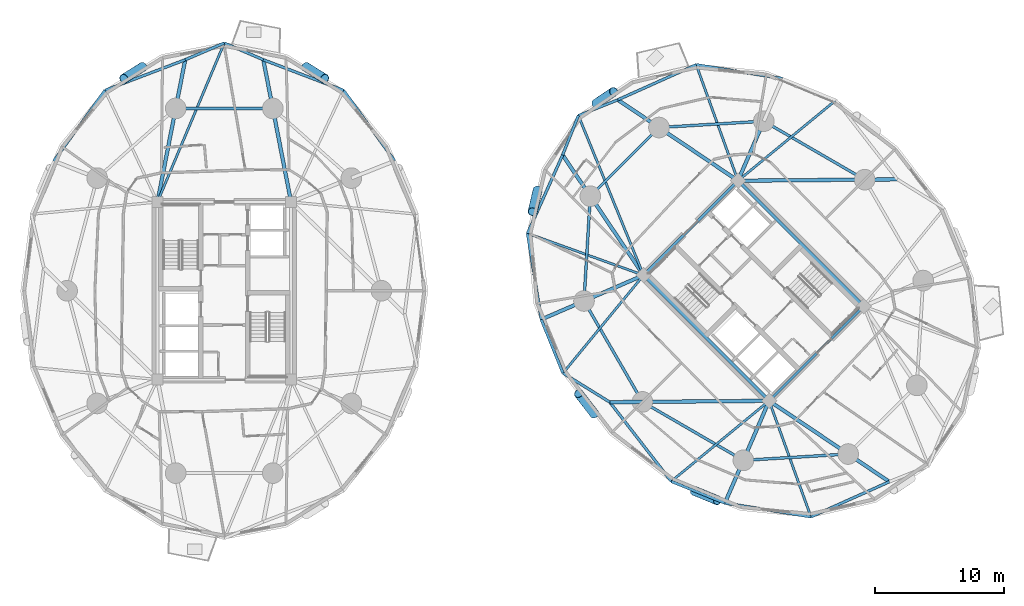
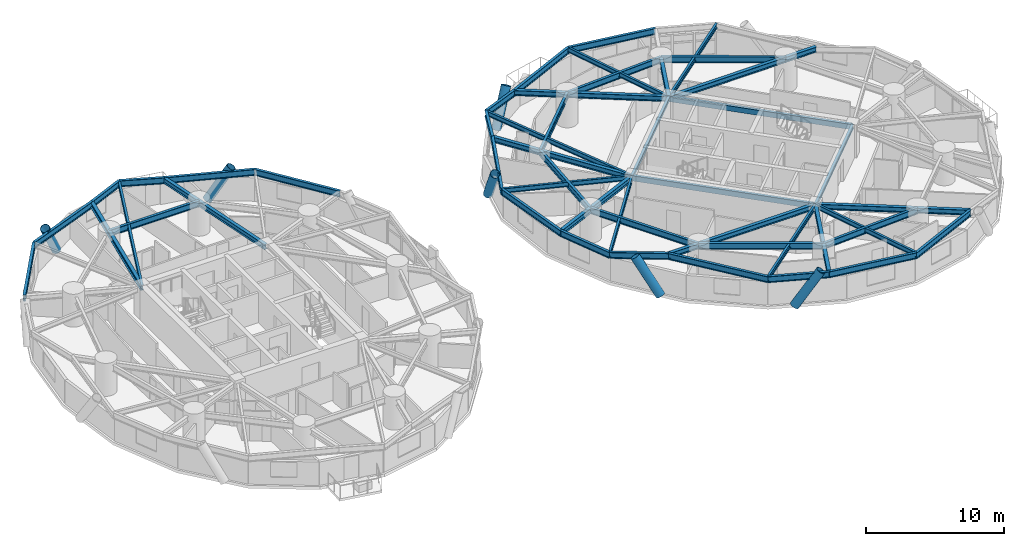
# One storey, part 5 of 19: 49 beams, 6 members.
"""IFC4 building model written with IfcOpenShell, lengths in metres."""

from ifc_helpers import new_model, si_unit, direction, frame, origin, origin_2d, place, context, subcontext, project, spatial, hollow_rectangle, hollow_circle, i_section, extrude, material, material_profile, profile_set, type_object, element, save


model = new_model("IFC4")

# Units and contexts
model_context = context("Model", 3, precision=1e-05, world=origin(), true_north=direction((0.0, 1.0)))
body_context = subcontext(model_context, "Body", "Model", "MODEL_VIEW")
ifc_project = project(units=[si_unit("LENGTHUNIT", "METRE"), si_unit("AREAUNIT", "SQUARE_METRE"), si_unit("VOLUMEUNIT", "CUBIC_METRE"), si_unit("PLANEANGLEUNIT", "RADIAN"), si_unit("MASSUNIT", "GRAM", prefix="KILO")], contexts=[model_context])

# Site, building, storey
site_placement = place(None, origin())
site = spatial("IfcSite", under=ifc_project, at=site_placement, CompositionType="ELEMENT")
building_placement = place(site_placement, origin())
building = spatial("IfcBuilding", under=site, at=building_placement, Name="Cununo Teusaquillo Station Towers", CompositionType="ELEMENT")
storey_placement = place(building_placement, frame((0.0, 0.0, 42.3701171875)))
storey = spatial("IfcBuildingStorey", under=building, at=storey_placement, Name="L12", CompositionType="ELEMENT", Elevation=42.3701171875)

# Beams
ifc_material_1 = material(Name="Steel EN 10025-2 S355J2", Category="steel")
ifc_material_profile_1 = material_profile(ifc_material_1, hollow_rectangle(XDim=0.25, YDim=0.449951171875, WallThickness=0.01611328125, at=origin_2d()), Name="RHS 450x250x16")
ifc_profile_set_1 = profile_set([ifc_material_profile_1], Name="Steel EN 10025-2 S355J2")
beam_type_1 = type_object("IfcBeamType", Name="BM-COUP-1", PredefinedType="USERDEFINED", material=ifc_profile_set_1)
for number, where, z_axis, x_axis, name in (
    (1, (58.70556640625, 15.975830078125, 2.4248046875), (-0.707106781187, 0.707106781187, 0.0), (-0.707106781187, -0.707106781187, 0.0), "L12 Tower B Core Beam 1"),
    (2, (66.024169921875, 23.29443359375, 2.4248046875), (-0.707106781187, 0.707106781187, 0.0), (-0.707106781187, -0.707106781187, 0.0), "L12 Tower B Core Beam 2"),
):
    element("IfcBeam", number, at=place(storey_placement, frame(where, z_axis=z_axis, x_axis=x_axis)), inside=storey, type_object=beam_type_1, Name=name, ObjectType="COUPLING BEAM", PredefinedType="USERDEFINED", context=body_context, shape_type="SweptSolid", body=[
        extrude(hollow_rectangle(XDim=0.25, YDim=0.449951171875, WallThickness=0.01611328125, at=origin_2d()), origin(), (0.0, 0.0, 1.0), 13.760009765625),
    ])
ifc_material_2 = material(Name="Steel ASTM A572 Grade 50", Category="steel")
ifc_material_profile_2 = material_profile(ifc_material_2, i_section(OverallWidth=0.180908203125, OverallDepth=0.4169921875, WebThickness=0.010986328125, FlangeThickness=0.018310546875, FilletRadius=0.012939453125, at=origin_2d()), Name="W16X57")
ifc_profile_set_2 = profile_set([ifc_material_profile_2], Name="Steel ASTM A572 Grade 50")
beam_type_2 = type_object("IfcBeamType", Name="BM-JOIST-1", PredefinedType="JOIST", material=ifc_profile_set_2)
beam_1_placement = place(storey_placement, frame((11.324951171875, 31.3798828125, 2.44140625), z_axis=(0.387539558454, 0.92185307432, 0.0), x_axis=(-0.92185307432, 0.387539558454, 0.0)))
element("IfcBeam", 3, at=beam_1_placement, inside=storey, type_object=beam_type_2, Name="L12 Tower A Radial Spandrel Joist V05", PredefinedType="JOIST", context=body_context, shape_type="SweptSolid", body=[
    extrude(i_section(OverallWidth=0.180908203125, OverallDepth=0.4169921875, WebThickness=0.010986328125, FlangeThickness=0.018310546875, FilletRadius=0.012939453125, at=origin_2d()), origin(), (0.0, 0.0, 1.0), 13.353515625),
])
beam_2_placement = place(storey_placement, frame((56.29443359375, 33.024169921875, 2.44140625), z_axis=(0.772192093976, 0.635389148475, 0.0), x_axis=(-0.635389148475, 0.772192093976, 0.0)))
element("IfcBeam", 4, at=beam_2_placement, inside=storey, type_object=beam_type_2, Name="L12 Tower B Radial Spandrel Joist V01", PredefinedType="JOIST", context=body_context, shape_type="SweptSolid", body=[
    extrude(i_section(OverallWidth=0.180908203125, OverallDepth=0.4169921875, WebThickness=0.010986328125, FlangeThickness=0.018310546875, FilletRadius=0.012939453125, at=origin_2d()), origin(), (0.0, 0.0, 1.0), 9.82080078125),
])
beam_3_placement = place(storey_placement, frame((56.29443359375, 33.024169921875, 2.44140625), z_axis=(-0.33906787056, 0.940761914171, 0.0), x_axis=(-0.940761914171, -0.33906787056, 0.0)))
element("IfcBeam", 5, at=beam_3_placement, inside=storey, type_object=beam_type_2, Name="L12 Tower B Radial Spandrel Joist V03", PredefinedType="JOIST", context=body_context, shape_type="SweptSolid", body=[
    extrude(i_section(OverallWidth=0.180908203125, OverallDepth=0.4169921875, WebThickness=0.010986328125, FlangeThickness=0.018310546875, FilletRadius=0.012939453125, at=origin_2d()), origin(), (0.0, 0.0, 1.0), 9.552734375),
])
beam_4_placement = place(storey_placement, frame((48.975830078125, 25.70556640625, 2.44140625), z_axis=(-0.377815437796, 0.92588092915, 0.0), x_axis=(-0.92588092915, -0.377815437796, 0.0)))
element("IfcBeam", 6, at=beam_4_placement, inside=storey, type_object=beam_type_2, Name="L12 Tower B Radial Spandrel Joist V05", PredefinedType="JOIST", context=body_context, shape_type="SweptSolid", body=[
    extrude(i_section(OverallWidth=0.180908203125, OverallDepth=0.4169921875, WebThickness=0.010986328125, FlangeThickness=0.018310546875, FilletRadius=0.012939453125, at=origin_2d()), origin(), (0.0, 0.0, 1.0), 13.353515625),
])
beam_5_placement = place(storey_placement, frame((48.975830078125, 25.70556640625, 2.44140625), z_axis=(-0.940761914171, 0.33906787056, 0.0), x_axis=(-0.33906787056, -0.940761914171, 0.0)))
element("IfcBeam", 7, at=beam_5_placement, inside=storey, type_object=beam_type_2, Name="L12 Tower B Radial Spandrel Joist V07", PredefinedType="JOIST", context=body_context, shape_type="SweptSolid", body=[
    extrude(i_section(OverallWidth=0.180908203125, OverallDepth=0.4169921875, WebThickness=0.010986328125, FlangeThickness=0.018310546875, FilletRadius=0.012939453125, at=origin_2d()), origin(), (0.0, 0.0, 1.0), 9.552734375),
])
for number, where, z_axis, x_axis, name in (
    (8, (48.975830078125, 25.70556640625, 2.44140625), (-0.635389148475, -0.772192093976, 0.0), (0.772192093976, -0.635389148475, 0.0), "L12 Tower B Radial Spandrel Joist V09"),
    (9, (58.70556640625, 15.975830078125, 2.44140625), (-0.772192093976, -0.635389148475, 0.0), (0.635389148475, -0.772192093976, 0.0), "L12 Tower B Radial Spandrel Joist V11"),
):
    element("IfcBeam", number, at=place(storey_placement, frame(where, z_axis=z_axis, x_axis=x_axis)), inside=storey, type_object=beam_type_2, Name=name, PredefinedType="JOIST", context=body_context, shape_type="SweptSolid", body=[
        extrude(i_section(OverallWidth=0.180908203125, OverallDepth=0.4169921875, WebThickness=0.010986328125, FlangeThickness=0.018310546875, FilletRadius=0.012939453125, at=origin_2d()), origin(), (0.0, 0.0, 1.0), 9.82080078125),
    ])
beam_6_placement = place(storey_placement, frame((58.70556640625, 15.975830078125, 2.44140625), z_axis=(0.33906787056, -0.940761914171, 0.0), x_axis=(0.940761914171, 0.33906787056, 0.0)))
element("IfcBeam", 10, at=beam_6_placement, inside=storey, type_object=beam_type_2, Name="L12 Tower B Radial Spandrel Joist V13", PredefinedType="JOIST", context=body_context, shape_type="SweptSolid", body=[
    extrude(i_section(OverallWidth=0.180908203125, OverallDepth=0.4169921875, WebThickness=0.010986328125, FlangeThickness=0.018310546875, FilletRadius=0.012939453125, at=origin_2d()), origin(), (0.0, 0.0, 1.0), 9.552734375),
])
ifc_material_3 = material(Name="Steel ASTM A572 Grade 50", Category="steel")
ifc_material_profile_3 = material_profile(ifc_material_3, i_section(OverallWidth=0.2041015625, OverallDepth=0.35009765625, WebThickness=0.008544921875, FlangeThickness=0.01513671875, FilletRadius=0.011962890625, at=origin_2d()), Name="W14X48")
ifc_profile_set_3 = profile_set([ifc_material_profile_3], Name="Steel ASTM A572 Grade 50")
beam_type_3 = type_object("IfcBeamType", Name="BM-LINTEL-1", PredefinedType="LINTEL", material=ifc_profile_set_3)
for number, where, z_axis, x_axis, name in (
    (11, (58.70556640625, 15.975830078125, 2.474853515625), (0.707106781187, 0.707106781187, 0.0), (-0.707106781187, 0.707106781187, 0.0), "L12 Tower B Core Beam 3"),
    (12, (48.975830078125, 25.70556640625, 2.474853515625), (0.707106781187, 0.707106781187, 0.0), (-0.707106781187, 0.707106781187, 0.0), "L12 Tower B Core Beam 4"),
):
    element("IfcBeam", number, at=place(storey_placement, frame(where, z_axis=z_axis, x_axis=x_axis)), inside=storey, type_object=beam_type_3, Name=name, PredefinedType="LINTEL", context=body_context, shape_type="SweptSolid", body=[
        extrude(i_section(OverallWidth=0.2041015625, OverallDepth=0.35009765625, WebThickness=0.008544921875, FlangeThickness=0.01513671875, FilletRadius=0.011962890625, at=origin_2d()), origin(), (0.0, 0.0, 1.0), 10.35009765625),
    ])
ifc_material_4 = material(Name="Steel ASTM A572 Grade 50", Category="steel")
ifc_material_profile_4 = material_profile(ifc_material_4, i_section(OverallWidth=0.280029296875, OverallDepth=0.462890625, WebThickness=0.0107421875, FlangeThickness=0.017333984375, FilletRadius=0.013916015625, at=origin_2d()), Name="W18X76")
ifc_profile_set_4 = profile_set([ifc_material_profile_4], Name="Steel ASTM A572 Grade 50")
beam_type_4 = type_object("IfcBeamType", Name="BM-RAD-G1", PredefinedType="BEAM", material=ifc_profile_set_4)
for number, where, z_axis, x_axis, name in (
    (13, (21.675048828125, 31.3798828125, 2.41845703125), (-0.191549210283, 0.981483010571, 0.0), (-0.981483010571, -0.191549210283, 0.0), "L12 Tower A Continuous Overhanging Radial Girder 03"),
    (14, (11.324951171875, 31.3798828125, 2.41845703125), (0.191549210283, 0.981483010571, 0.0), (-0.981483010571, 0.191549210283, 0.0), "L12 Tower A Continuous Overhanging Radial Girder 04"),
):
    element("IfcBeam", number, at=place(storey_placement, frame(where, z_axis=z_axis, x_axis=x_axis)), inside=storey, type_object=beam_type_4, Name=name, PredefinedType="BEAM", context=body_context, shape_type="SweptSolid", body=[
        extrude(i_section(OverallWidth=0.280029296875, OverallDepth=0.462890625, WebThickness=0.0107421875, FlangeThickness=0.017333984375, FilletRadius=0.013916015625, at=origin_2d()), origin(), (0.0, 0.0, 1.0), 11.22119140625),
    ])
beam_7_placement = place(storey_placement, frame((56.29443359375, 33.024169921875, 2.41845703125), z_axis=(0.999964326722, 0.008446613668, 0.0), x_axis=(-0.008446613668, 0.999964326722, 0.0)))
element("IfcBeam", 15, at=beam_7_placement, inside=storey, type_object=beam_type_4, Name="L12 Tower B Continuous Overhanging Radial Girder 01", PredefinedType="BEAM", context=body_context, shape_type="SweptSolid", body=[
    extrude(i_section(OverallWidth=0.280029296875, OverallDepth=0.462890625, WebThickness=0.0107421875, FlangeThickness=0.017333984375, FilletRadius=0.013916015625, at=origin_2d()), origin(), (0.0, 0.0, 1.0), 12.342041015625),
])
beam_8_placement = place(storey_placement, frame((56.29443359375, 33.024169921875, 2.41845703125), z_axis=(0.397346986387, 0.917668443616, 0.0), x_axis=(-0.917668443616, 0.397346986387, 0.0)))
element("IfcBeam", 16, at=beam_8_placement, inside=storey, type_object=beam_type_4, Name="L12 Tower B Radial Girder 02A", PredefinedType="BEAM", context=body_context, shape_type="SweptSolid", body=[
    extrude(i_section(OverallWidth=0.280029296875, OverallDepth=0.462890625, WebThickness=0.0107421875, FlangeThickness=0.017333984375, FilletRadius=0.013916015625, at=origin_2d()), origin(), (0.0, 0.0, 1.0), 5.02490234375),
])
for number, where, z_axis, x_axis, name in (
    (17, (56.29443359375, 33.024169921875, 2.41845703125), (-0.829460584667, 0.558565249978, 0.0), (-0.558565249978, -0.829460584667, 0.0), "L12 Tower B Continuous Overhanging Radial Girder 03"),
    (18, (48.975830078125, 25.70556640625, 2.41845703125), (-0.558565249978, 0.829460584667, 0.0), (-0.829460584667, -0.558565249978, 0.0), "L12 Tower B Continuous Overhanging Radial Girder 04"),
):
    element("IfcBeam", number, at=place(storey_placement, frame(where, z_axis=z_axis, x_axis=x_axis)), inside=storey, type_object=beam_type_4, Name=name, PredefinedType="BEAM", context=body_context, shape_type="SweptSolid", body=[
        extrude(i_section(OverallWidth=0.280029296875, OverallDepth=0.462890625, WebThickness=0.0107421875, FlangeThickness=0.017333984375, FilletRadius=0.013916015625, at=origin_2d()), origin(), (0.0, 0.0, 1.0), 11.22119140625),
    ])
beam_9_placement = place(storey_placement, frame((48.975830078125, 25.70556640625, 2.41845703125), z_axis=(-0.91765947108, -0.397367707718, 0.0), x_axis=(0.397367707718, -0.91765947108, 0.0)))
element("IfcBeam", 19, at=beam_9_placement, inside=storey, type_object=beam_type_4, Name="L12 Tower B Continuous Overhanging Radial Girder 05", PredefinedType="BEAM", context=body_context, shape_type="SweptSolid", body=[
    extrude(i_section(OverallWidth=0.280029296875, OverallDepth=0.462890625, WebThickness=0.0107421875, FlangeThickness=0.017333984375, FilletRadius=0.013916015625, at=origin_2d()), origin(), (0.0, 0.0, 1.0), 8.631591796875),
])
beam_10_placement = place(storey_placement, frame((58.70556640625, 15.975830078125, 2.41845703125), z_axis=(-0.999964431382, -0.008434214327, 0.0), x_axis=(0.008434214327, -0.999964431382, 0.0)))
element("IfcBeam", 20, at=beam_10_placement, inside=storey, type_object=beam_type_4, Name="L12 Tower B Radial Girder 06A", PredefinedType="BEAM", context=body_context, shape_type="SweptSolid", body=[
    extrude(i_section(OverallWidth=0.280029296875, OverallDepth=0.462890625, WebThickness=0.0107421875, FlangeThickness=0.017333984375, FilletRadius=0.013916015625, at=origin_2d()), origin(), (0.0, 0.0, 1.0), 9.812744140625),
])
beam_11_placement = place(storey_placement, frame((48.89306640625, 15.89306640625, 2.41845703125), z_axis=(-0.999963919198, -0.00849472197, 0.0), x_axis=(0.00849472197, -0.999963919198, 0.0)))
element("IfcBeam", 21, at=beam_11_placement, inside=storey, type_object=beam_type_4, Name="L12 Tower B Perimeter Overhang Girder 06B", PredefinedType="BEAM", context=body_context, shape_type="SweptSolid", body=[
    extrude(i_section(OverallWidth=0.280029296875, OverallDepth=0.462890625, WebThickness=0.0107421875, FlangeThickness=0.017333984375, FilletRadius=0.013916015625, at=origin_2d()), origin(), (0.0, 0.0, 1.0), 2.529052734375),
])
beam_12_placement = place(storey_placement, frame((58.70556640625, 15.975830078125, 2.41845703125), z_axis=(-0.397367707718, -0.91765947108, 0.0), x_axis=(0.91765947108, -0.397367707718, 0.0)))
element("IfcBeam", 22, at=beam_12_placement, inside=storey, type_object=beam_type_4, Name="L12 Tower B Continuous Overhanging Radial Girder 07", PredefinedType="BEAM", context=body_context, shape_type="SweptSolid", body=[
    extrude(i_section(OverallWidth=0.280029296875, OverallDepth=0.462890625, WebThickness=0.0107421875, FlangeThickness=0.017333984375, FilletRadius=0.013916015625, at=origin_2d()), origin(), (0.0, 0.0, 1.0), 8.631591796875),
])
beam_13_placement = place(storey_placement, frame((58.70556640625, 15.975830078125, 2.41845703125), z_axis=(0.829460584667, -0.558565249978, 0.0), x_axis=(0.558565249978, 0.829460584667, 0.0)))
element("IfcBeam", 23, at=beam_13_placement, inside=storey, type_object=beam_type_4, Name="L12 Tower B Continuous Overhanging Radial Girder 08", PredefinedType="BEAM", context=body_context, shape_type="SweptSolid", body=[
    extrude(i_section(OverallWidth=0.280029296875, OverallDepth=0.462890625, WebThickness=0.0107421875, FlangeThickness=0.017333984375, FilletRadius=0.013916015625, at=origin_2d()), origin(), (0.0, 0.0, 1.0), 11.22119140625),
])
ifc_material_5 = material(Name="Steel ASTM A572 Grade 50", Category="steel")
ifc_material_profile_5 = material_profile(ifc_material_5, i_section(OverallWidth=0.214111328125, OverallDepth=0.549072265625, WebThickness=0.0146484375, FlangeThickness=0.023681640625, FilletRadius=0.014892578125, at=origin_2d()), Name="W21X93")
ifc_profile_set_5 = profile_set([ifc_material_profile_5], Name="Steel ASTM A572 Grade 50")
beam_type_5 = type_object("IfcBeamType", Name="BM-RING-Z1", PredefinedType="SPANDREL", material=ifc_profile_set_5)
beam_14_placement = place(storey_placement, frame((20.261474609375, 38.623291015625, 2.37548828125), z_axis=(-1.0, 0.0, 0.0), x_axis=(0.0, -1.0, 0.0)))
element("IfcBeam", 24, at=beam_14_placement, inside=storey, type_object=beam_type_5, Name="L12 Tower A Structural Column Ring Girder 03", PredefinedType="SPANDREL", context=body_context, shape_type="SweptSolid", body=[
    extrude(i_section(OverallWidth=0.214111328125, OverallDepth=0.549072265625, WebThickness=0.0146484375, FlangeThickness=0.023681640625, FilletRadius=0.014892578125, at=origin_2d()), origin(), (0.0, 0.0, 1.0), 7.52294921875),
])
beam_15_placement = place(storey_placement, frame((29.701171875, 34.555419921875, 2.37548828125), z_axis=(-0.586607937648, 0.809871056087, 0.0), x_axis=(-0.809871056087, -0.586607937648, 0.0)))
element("IfcBeam", 25, at=beam_15_placement, inside=storey, type_object=beam_type_5, Name="L12 Tower A Spandrel Ring Beam 03", PredefinedType="SPANDREL", context=body_context, shape_type="SweptSolid", body=[
    extrude(i_section(OverallWidth=0.214111328125, OverallDepth=0.549072265625, WebThickness=0.0146484375, FlangeThickness=0.023681640625, FilletRadius=0.014892578125, at=origin_2d()), origin(), (0.0, 0.0, 1.0), 6.75341796875),
])
beam_16_placement = place(storey_placement, frame((25.739501953125, 40.02490234375, 2.37548828125), z_axis=(-0.934426653529, 0.356155624937, 0.0), x_axis=(-0.356155624937, -0.934426653529, 0.0)))
element("IfcBeam", 26, at=beam_16_placement, inside=storey, type_object=beam_type_5, Name="L12 Tower A Spandrel Ring Beam 04", PredefinedType="SPANDREL", context=body_context, shape_type="SweptSolid", body=[
    extrude(i_section(OverallWidth=0.214111328125, OverallDepth=0.549072265625, WebThickness=0.0146484375, FlangeThickness=0.023681640625, FilletRadius=0.014892578125, at=origin_2d()), origin(), (0.0, 0.0, 1.0), 6.64990234375),
])
for number, where, z_axis, x_axis, name in (
    (27, (19.525634765625, 42.393310546875, 2.37548828125), (-0.919152702301, 0.393901396104, 0.0), (-0.393901396104, -0.919152702301, 0.0), "L12 Tower A Spandrel Ring Beam 05"),
    (28, (16.5, 43.68994140625, 2.37548828125), (-0.919152702301, -0.393901396104, 0.0), (0.393901396104, -0.919152702301, 0.0), "L12 Tower A Spandrel Ring Beam 06"),
):
    element("IfcBeam", number, at=place(storey_placement, frame(where, z_axis=z_axis, x_axis=x_axis)), inside=storey, type_object=beam_type_5, Name=name, PredefinedType="SPANDREL", context=body_context, shape_type="SweptSolid", body=[
        extrude(i_section(OverallWidth=0.214111328125, OverallDepth=0.549072265625, WebThickness=0.0146484375, FlangeThickness=0.023681640625, FilletRadius=0.014892578125, at=origin_2d()), origin(), (0.0, 0.0, 1.0), 3.291748046875),
    ])
beam_17_placement = place(storey_placement, frame((13.474365234375, 42.393310546875, 2.37548828125), z_axis=(-0.934426653529, -0.356155624937, 0.0), x_axis=(0.356155624937, -0.934426653529, 0.0)))
element("IfcBeam", 29, at=beam_17_placement, inside=storey, type_object=beam_type_5, Name="L12 Tower A Spandrel Ring Beam 07", PredefinedType="SPANDREL", context=body_context, shape_type="SweptSolid", body=[
    extrude(i_section(OverallWidth=0.214111328125, OverallDepth=0.549072265625, WebThickness=0.0146484375, FlangeThickness=0.023681640625, FilletRadius=0.014892578125, at=origin_2d()), origin(), (0.0, 0.0, 1.0), 6.64990234375),
])
beam_18_placement = place(storey_placement, frame((7.260498046875, 40.02490234375, 2.37548828125), z_axis=(-0.586607937648, -0.809871056087, 0.0), x_axis=(0.809871056087, -0.586607937648, 0.0)))
element("IfcBeam", 30, at=beam_18_placement, inside=storey, type_object=beam_type_5, Name="L12 Tower A Spandrel Ring Beam 08", PredefinedType="SPANDREL", context=body_context, shape_type="SweptSolid", body=[
    extrude(i_section(OverallWidth=0.214111328125, OverallDepth=0.549072265625, WebThickness=0.0146484375, FlangeThickness=0.023681640625, FilletRadius=0.014892578125, at=origin_2d()), origin(), (0.0, 0.0, 1.0), 6.75341796875),
])
beam_19_placement = place(storey_placement, frame((66.10693359375, 33.10693359375, 2.37548828125), z_axis=(-0.865267103202, 0.501311121078, 0.0), x_axis=(-0.501311121078, -0.865267103202, 0.0)))
element("IfcBeam", 31, at=beam_19_placement, inside=storey, type_object=beam_type_5, Name="L12 Tower B Structural Column Ring Girder 01", PredefinedType="SPANDREL", context=body_context, shape_type="SweptSolid", body=[
    extrude(i_section(OverallWidth=0.214111328125, OverallDepth=0.549072265625, WebThickness=0.0146484375, FlangeThickness=0.023681640625, FilletRadius=0.014892578125, at=origin_2d()), origin(), (0.0, 0.0, 1.0), 9.032958984375),
])
beam_20_placement = place(storey_placement, frame((58.291015625, 37.63525390625, 2.37548828125), z_axis=(-0.998190567048, -0.06012979176, 0.0), x_axis=(0.06012979176, -0.998190567048, 0.0)))
element("IfcBeam", 32, at=beam_20_placement, inside=storey, type_object=beam_type_5, Name="L12 Tower B Structural Column Ring Girder 02", PredefinedType="SPANDREL", context=body_context, shape_type="SweptSolid", body=[
    extrude(i_section(OverallWidth=0.214111328125, OverallDepth=0.549072265625, WebThickness=0.0146484375, FlangeThickness=0.023681640625, FilletRadius=0.014892578125, at=origin_2d()), origin(), (0.0, 0.0, 1.0), 8.132568359375),
])
beam_21_placement = place(storey_placement, frame((50.173095703125, 37.146240234375, 2.37548828125), z_axis=(-0.707106781187, -0.707106781187, 0.0), x_axis=(0.707106781187, -0.707106781187, 0.0)))
element("IfcBeam", 33, at=beam_21_placement, inside=storey, type_object=beam_type_5, Name="L12 Tower B Structural Column Ring Girder 03", PredefinedType="SPANDREL", context=body_context, shape_type="SweptSolid", body=[
    extrude(i_section(OverallWidth=0.214111328125, OverallDepth=0.549072265625, WebThickness=0.0146484375, FlangeThickness=0.023681640625, FilletRadius=0.014892578125, at=origin_2d()), origin(), (0.0, 0.0, 1.0), 7.522705078125),
])
beam_22_placement = place(storey_placement, frame((44.853759765625, 31.826904296875, 2.37548828125), z_axis=(-0.06012979176, -0.998190567048, 0.0), x_axis=(0.998190567048, -0.06012979176, 0.0)))
element("IfcBeam", 34, at=beam_22_placement, inside=storey, type_object=beam_type_5, Name="L12 Tower B Structural Column Ring Girder 04", PredefinedType="SPANDREL", context=body_context, shape_type="SweptSolid", body=[
    extrude(i_section(OverallWidth=0.214111328125, OverallDepth=0.549072265625, WebThickness=0.0146484375, FlangeThickness=0.023681640625, FilletRadius=0.014892578125, at=origin_2d()), origin(), (0.0, 0.0, 1.0), 8.132568359375),
])
for number, where, z_axis, x_axis, name in (
    (35, (44.36474609375, 23.708984375, 2.37548828125), (0.501311121078, -0.865267103202, 0.0), (0.865267103202, 0.501311121078, 0.0), "L12 Tower B Structural Column Ring Girder 05"),
    (36, (48.89306640625, 15.89306640625, 2.37548828125), (0.865267103202, -0.501311121078, 0.0), (0.501311121078, 0.865267103202, 0.0), "L12 Tower B Structural Column Ring Girder 06"),
):
    element("IfcBeam", number, at=place(storey_placement, frame(where, z_axis=z_axis, x_axis=x_axis)), inside=storey, type_object=beam_type_5, Name=name, PredefinedType="SPANDREL", context=body_context, shape_type="SweptSolid", body=[
        extrude(i_section(OverallWidth=0.214111328125, OverallDepth=0.549072265625, WebThickness=0.0146484375, FlangeThickness=0.023681640625, FilletRadius=0.014892578125, at=origin_2d()), origin(), (0.0, 0.0, 1.0), 9.032958984375),
    ])
beam_23_placement = place(storey_placement, frame((56.708984375, 11.36474609375, 2.37548828125), z_axis=(0.998190567048, 0.06012979176, 0.0), x_axis=(-0.06012979176, 0.998190567048, 0.0)))
element("IfcBeam", 37, at=beam_23_placement, inside=storey, type_object=beam_type_5, Name="L12 Tower B Structural Column Ring Girder 07", PredefinedType="SPANDREL", context=body_context, shape_type="SweptSolid", body=[
    extrude(i_section(OverallWidth=0.214111328125, OverallDepth=0.549072265625, WebThickness=0.0146484375, FlangeThickness=0.023681640625, FilletRadius=0.014892578125, at=origin_2d()), origin(), (0.0, 0.0, 1.0), 8.132568359375),
])
beam_24_placement = place(storey_placement, frame((59.724365234375, 40.945068359375, 2.37548828125), z_axis=(-0.987466335344, 0.157829770834, 0.0), x_axis=(-0.157829770834, -0.987466335344, 0.0)))
element("IfcBeam", 38, at=beam_24_placement, inside=storey, type_object=beam_type_5, Name="L12 Tower B Spandrel Ring Beam 03", PredefinedType="SPANDREL", context=body_context, shape_type="SweptSolid", body=[
    extrude(i_section(OverallWidth=0.214111328125, OverallDepth=0.549072265625, WebThickness=0.0146484375, FlangeThickness=0.023681640625, FilletRadius=0.014892578125, at=origin_2d()), origin(), (0.0, 0.0, 1.0), 6.753662109375),
])
beam_25_placement = place(storey_placement, frame((53.055419921875, 42.010986328125, 2.37548828125), z_axis=(-0.912588695836, -0.408878798951, 0.0), x_axis=(0.408878798951, -0.912588695836, 0.0)))
element("IfcBeam", 39, at=beam_25_placement, inside=storey, type_object=beam_type_5, Name="L12 Tower B Spandrel Ring Beam 04", PredefinedType="SPANDREL", context=body_context, shape_type="SweptSolid", body=[
    extrude(i_section(OverallWidth=0.214111328125, OverallDepth=0.549072265625, WebThickness=0.0146484375, FlangeThickness=0.023681640625, FilletRadius=0.014892578125, at=origin_2d()), origin(), (0.0, 0.0, 1.0), 6.64990234375),
])
for number, where, z_axis, x_axis, name in (
    (40, (46.98681640625, 39.2919921875, 2.37548828125), (-0.928456228871, -0.371441827304, 0.0), (0.371441827304, -0.928456228871, 0.0), "L12 Tower B Spandrel Ring Beam 05"),
    (41, (43.9306640625, 38.0693359375, 2.37548828125), (-0.371441827304, -0.928456228871, 0.0), (0.928456228871, -0.371441827304, 0.0), "L12 Tower B Spandrel Ring Beam 06"),
):
    element("IfcBeam", number, at=place(storey_placement, frame(where, z_axis=z_axis, x_axis=x_axis)), inside=storey, type_object=beam_type_5, Name=name, PredefinedType="SPANDREL", context=body_context, shape_type="SweptSolid", body=[
        extrude(i_section(OverallWidth=0.214111328125, OverallDepth=0.549072265625, WebThickness=0.0146484375, FlangeThickness=0.023681640625, FilletRadius=0.014892578125, at=origin_2d()), origin(), (0.0, 0.0, 1.0), 3.291748046875),
    ])
beam_26_placement = place(storey_placement, frame((42.7080078125, 35.01318359375, 2.37548828125), z_axis=(-0.408878798951, -0.912588695836, 0.0), x_axis=(0.912588695836, -0.408878798951, 0.0)))
element("IfcBeam", 42, at=beam_26_placement, inside=storey, type_object=beam_type_5, Name="L12 Tower B Spandrel Ring Beam 07", PredefinedType="SPANDREL", context=body_context, shape_type="SweptSolid", body=[
    extrude(i_section(OverallWidth=0.214111328125, OverallDepth=0.549072265625, WebThickness=0.0146484375, FlangeThickness=0.023681640625, FilletRadius=0.014892578125, at=origin_2d()), origin(), (0.0, 0.0, 1.0), 6.64990234375),
])
beam_27_placement = place(storey_placement, frame((39.989013671875, 28.944580078125, 2.37548828125), z_axis=(0.157829770834, -0.987466335344, 0.0), x_axis=(0.987466335344, 0.157829770834, 0.0)))
element("IfcBeam", 43, at=beam_27_placement, inside=storey, type_object=beam_type_5, Name="L12 Tower B Spandrel Ring Beam 08", PredefinedType="SPANDREL", context=body_context, shape_type="SweptSolid", body=[
    extrude(i_section(OverallWidth=0.214111328125, OverallDepth=0.549072265625, WebThickness=0.0146484375, FlangeThickness=0.023681640625, FilletRadius=0.014892578125, at=origin_2d()), origin(), (0.0, 0.0, 1.0), 6.753662109375),
])
beam_28_placement = place(storey_placement, frame((41.054931640625, 22.275634765625, 2.37548828125), z_axis=(0.375135909025, -0.926969821386, 0.0), x_axis=(0.926969821386, 0.375135909025, 0.0)))
element("IfcBeam", 44, at=beam_28_placement, inside=storey, type_object=beam_type_5, Name="L12 Tower B Spandrel Ring Beam 09", PredefinedType="SPANDREL", context=body_context, shape_type="SweptSolid", body=[
    extrude(i_section(OverallWidth=0.214111328125, OverallDepth=0.549072265625, WebThickness=0.0146484375, FlangeThickness=0.023681640625, FilletRadius=0.014892578125, at=origin_2d()), origin(), (0.0, 0.0, 1.0), 4.480712890625),
])
beam_29_placement = place(storey_placement, frame((42.73583984375, 18.1220703125, 2.37548828125), z_axis=(0.849795627585, -0.527112313779, 0.0), x_axis=(0.527112313779, 0.849795627585, 0.0)))
element("IfcBeam", 45, at=beam_29_placement, inside=storey, type_object=beam_type_5, Name="L12 Tower B Spandrel Ring Beam 10", PredefinedType="SPANDREL", context=body_context, shape_type="SweptSolid", body=[
    extrude(i_section(OverallWidth=0.214111328125, OverallDepth=0.549072265625, WebThickness=0.0146484375, FlangeThickness=0.023681640625, FilletRadius=0.014892578125, at=origin_2d()), origin(), (0.0, 0.0, 1.0), 4.26953125),
])
beam_30_placement = place(storey_placement, frame((46.364013671875, 15.87158203125, 2.37548828125), z_axis=(0.612801480015, -0.790236892388, 0.0), x_axis=(0.790236892388, 0.612801480015, 0.0)))
element("IfcBeam", 46, at=beam_30_placement, inside=storey, type_object=beam_type_5, Name="L12 Tower B Spandrel Ring Beam 11", PredefinedType="SPANDREL", context=body_context, shape_type="SweptSolid", body=[
    extrude(i_section(OverallWidth=0.214111328125, OverallDepth=0.549072265625, WebThickness=0.0146484375, FlangeThickness=0.023681640625, FilletRadius=0.014892578125, at=origin_2d()), origin(), (0.0, 0.0, 1.0), 7.764404296875),
])
beam_31_placement = place(storey_placement, frame((51.1220703125, 9.73583984375, 2.37548828125), z_axis=(0.926969821386, -0.375135909025, 0.0), x_axis=(0.375135909025, 0.926969821386, 0.0)))
element("IfcBeam", 47, at=beam_31_placement, inside=storey, type_object=beam_type_5, Name="L12 Tower B Spandrel Ring Beam 12", PredefinedType="SPANDREL", context=body_context, shape_type="SweptSolid", body=[
    extrude(i_section(OverallWidth=0.214111328125, OverallDepth=0.549072265625, WebThickness=0.0146484375, FlangeThickness=0.023681640625, FilletRadius=0.014892578125, at=origin_2d()), origin(), (0.0, 0.0, 1.0), 4.480712890625),
])
beam_32_placement = place(storey_placement, frame((55.275634765625, 8.054931640625, 2.37548828125), z_axis=(0.987466335344, -0.157829770834, 0.0), x_axis=(0.157829770834, 0.987466335344, 0.0)))
element("IfcBeam", 48, at=beam_32_placement, inside=storey, type_object=beam_type_5, Name="L12 Tower B Spandrel Ring Beam 13", PredefinedType="SPANDREL", context=body_context, shape_type="SweptSolid", body=[
    extrude(i_section(OverallWidth=0.214111328125, OverallDepth=0.549072265625, WebThickness=0.0146484375, FlangeThickness=0.023681640625, FilletRadius=0.014892578125, at=origin_2d()), origin(), (0.0, 0.0, 1.0), 6.753662109375),
])
beam_33_placement = place(storey_placement, frame((61.944580078125, 6.989013671875, 2.37548828125), z_axis=(0.912588695836, 0.408878798951, 0.0), x_axis=(-0.408878798951, 0.912588695836, 0.0)))
element("IfcBeam", 49, at=beam_33_placement, inside=storey, type_object=beam_type_5, Name="L12 Tower B Spandrel Ring Beam 14", PredefinedType="SPANDREL", context=body_context, shape_type="SweptSolid", body=[
    extrude(i_section(OverallWidth=0.214111328125, OverallDepth=0.549072265625, WebThickness=0.0146484375, FlangeThickness=0.023681640625, FilletRadius=0.014892578125, at=origin_2d()), origin(), (0.0, 0.0, 1.0), 6.64990234375),
])

# Members
ifc_material_6 = material(Name="Steel EN 10025-2 S355J2", Category="steel")
ifc_material_profile_6 = material_profile(ifc_material_6, hollow_circle(Radius=0.360107421875, WallThickness=0.028076171875, at=origin_2d()), Name="CHS 720x28")
ifc_profile_set_6 = profile_set([ifc_material_profile_6], Name="Steel EN 10025-2 S355J2")
member_type = type_object("IfcMemberType", Name="MBR-DIAG-Z1", PredefinedType="BRACE", material=ifc_profile_set_6)
for number, where, z_axis, x_axis, name in (
    (50, (22.818115234375, 41.84228515625, -0.14013671875), (0.432109885705, -0.26881380488, 0.86082529295), (0.528224584169, 0.849104698303, 0.0), "L12 Tower A Folded-Zigzag Diagrid Tube C03"),
    (51, (10.181884765625, 41.84228515625, -0.14013671875), (-0.432109885705, -0.26881380488, 0.86082529295), (0.528224584169, -0.849104698303, 0.0), "L12 Tower A Folded-Zigzag Diagrid Tube C06"),
):
    element("IfcMember", number, at=place(storey_placement, frame(where, z_axis=z_axis, x_axis=x_axis)), inside=storey, type_object=member_type, Name=name, PredefinedType="BRACE", context=body_context, shape_type="SweptSolid", body=[
        extrude(hollow_circle(Radius=0.360107421875, WallThickness=0.028076171875, at=origin_2d()), origin(), (0.0, 0.0, 1.0), 3.38037109375),
    ])
member_1_placement = place(storey_placement, frame((45.296875, 38.992919921875, -0.14013671875), z_axis=(0.408468387245, 0.276132221041, 0.870002628229), x_axis=(-0.560052437376, 0.828457160866, 0.0)))
element("IfcMember", 52, at=member_1_placement, inside=storey, type_object=member_type, Name="L12 Tower B Folded-Zigzag Diagrid Tube C04", PredefinedType="BRACE", context=body_context, shape_type="SweptSolid", body=[
    extrude(hollow_circle(Radius=0.360107421875, WallThickness=0.028076171875, at=origin_2d()), origin(), (0.0, 0.0, 1.0), 3.3447265625),
])
member_2_placement = place(storey_placement, frame((40.76953125, 32.29541015625, -0.14013671875), z_axis=(-0.115410822859, -0.495659873141, 0.860814516679), x_axis=(0.973946828543, -0.226776487252, 0.0)))
element("IfcMember", 53, at=member_2_placement, inside=storey, type_object=member_type, Name="L12 Tower B Folded-Zigzag Diagrid Tube C06", PredefinedType="BRACE", context=body_context, shape_type="SweptSolid", body=[
    extrude(hollow_circle(Radius=0.360107421875, WallThickness=0.028076171875, at=origin_2d()), origin(), (0.0, 0.0, 1.0), 3.38037109375),
])
member_3_placement = place(storey_placement, frame((45.168701171875, 14.964111328125, -0.14013671875), z_axis=(-0.344905930844, 0.447692466526, 0.824991729828), x_axis=(-0.792173025394, -0.610296565482, 0.0)))
element("IfcMember", 54, at=member_3_placement, inside=storey, type_object=member_type, Name="L12 Tower B Folded-Zigzag Diagrid Tube C09", PredefinedType="BRACE", context=body_context, shape_type="SweptSolid", body=[
    extrude(hollow_circle(Radius=0.360107421875, WallThickness=0.028076171875, at=origin_2d()), origin(), (0.0, 0.0, 1.0), 3.527099609375),
])
member_4_placement = place(storey_placement, frame((52.9091796875, 9.001220703125, -0.14013671875), z_axis=(0.511678266791, -0.210304590189, 0.83304101378), x_axis=(0.380152421508, 0.924923854391, 0.0)))
element("IfcMember", 55, at=member_4_placement, inside=storey, type_object=member_type, Name="L12 Tower B Folded-Zigzag Diagrid Tube C11", PredefinedType="BRACE", context=body_context, shape_type="SweptSolid", body=[
    extrude(hollow_circle(Radius=0.360107421875, WallThickness=0.028076171875, at=origin_2d()), origin(), (0.0, 0.0, 1.0), 3.4931640625),
])

save(model, "model.ifc")
